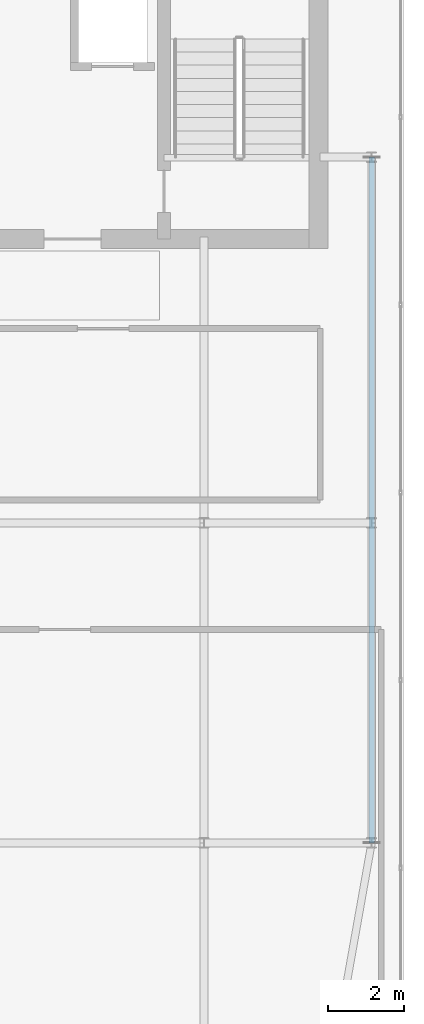
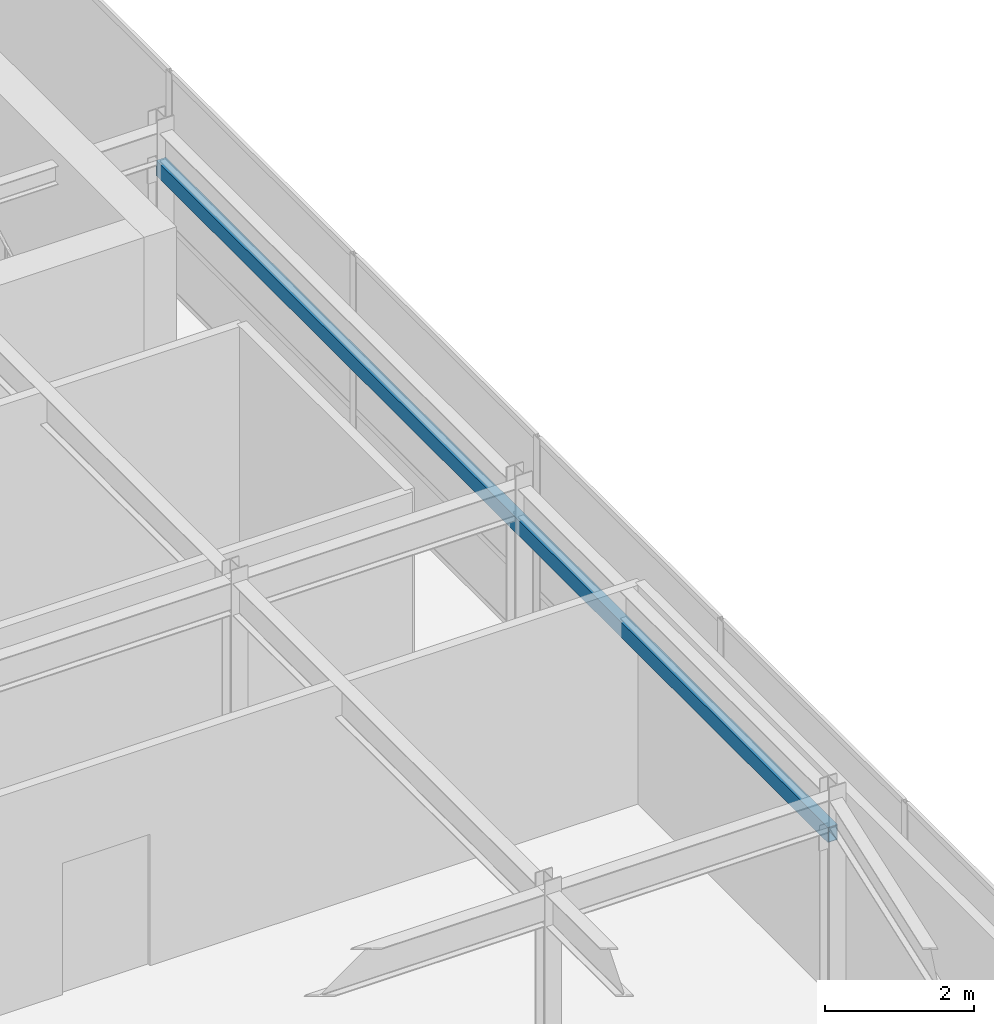
# One storey, part 23 of 36: 1 member.
"""IFC4 building model written with IfcOpenShell, lengths in metres."""

from ifc_helpers import new_model, si_unit, direction, frame, origin, origin_2d, place, context, subcontext, project, spatial, hollow_rectangle, extrude, source, transform, mapped, material, material_profile, profile_set, type_object, type_shapes, element, save


model = new_model("IFC4")

# Units and contexts
model_context = context("Model", 3, precision=1e-05, world=origin(), true_north=direction((0.0, 1.0)))
body_context = subcontext(model_context, "Body", "Model", "MODEL_VIEW")
ifc_project = project(units=[si_unit("LENGTHUNIT", "METRE"), si_unit("AREAUNIT", "SQUARE_METRE"), si_unit("VOLUMEUNIT", "CUBIC_METRE"), si_unit("PLANEANGLEUNIT", "RADIAN"), si_unit("MASSUNIT", "GRAM", prefix="KILO")], contexts=[model_context])

# Site, building, storey
site_placement = place(None, origin())
site = spatial("IfcSite", under=ifc_project, at=site_placement, CompositionType="ELEMENT")
building_placement = place(site_placement, origin())
building = spatial("IfcBuilding", under=site, at=building_placement, Name="Tolvann Quenvar Hotel", CompositionType="ELEMENT")
storey_placement = place(building_placement, frame((0.0, 0.0, 298.550048828125)))
storey = spatial("IfcBuildingStorey", under=building, at=storey_placement, Name="L79", CompositionType="ELEMENT", Elevation=298.550048828125)

# Member
ifc_material = material(Name="Steel Grade 450 (C450L0)", Category="steel")
ifc_material_profile = material_profile(ifc_material, hollow_rectangle(XDim=0.14990234375, YDim=0.25, WallThickness=0.009033203125, at=origin_2d()), Name="250x150x9RHS")
ifc_profile_set = profile_set([ifc_material_profile], Name="Steel Grade 450 (C450L0)")
member_type = type_object("IfcMemberType", Name="MEM_CROWN_250RHS", PredefinedType="USERDEFINED", material=ifc_profile_set)
shared_shape = source(origin(), body_context, "Body", "SweptSolid", [
    extrude(hollow_rectangle(XDim=0.14990234375, YDim=0.25, WallThickness=0.009033203125, at=origin_2d()), origin(), (0.0, 0.0, 1.0), 18.0),
])
type_shapes(member_type, [shared_shape])
member_placement = place(storey_placement, frame((37.14990234375, 16.0, 2.929931640625), z_axis=(0.0, 1.0, 0.0), x_axis=(-1.0, 0.0, 0.0)))
element("IfcMember", 1, at=member_placement, inside=storey, type_object=member_type, Name="Crown Frame Ring Member (L79-3)", ObjectType="CROWN FRAME", PredefinedType="USERDEFINED", context=body_context, shape_type="MappedRepresentation", body=[
    mapped(shared_shape, transform((0.0, 0.0, 0.0), x_axis=(1.0, 0.0, 0.0), y_axis=(0.0, 1.0, 0.0), z_axis=(0.0, 0.0, 1.0), scale=1.0)),
])

save(model, "model.ifc")
